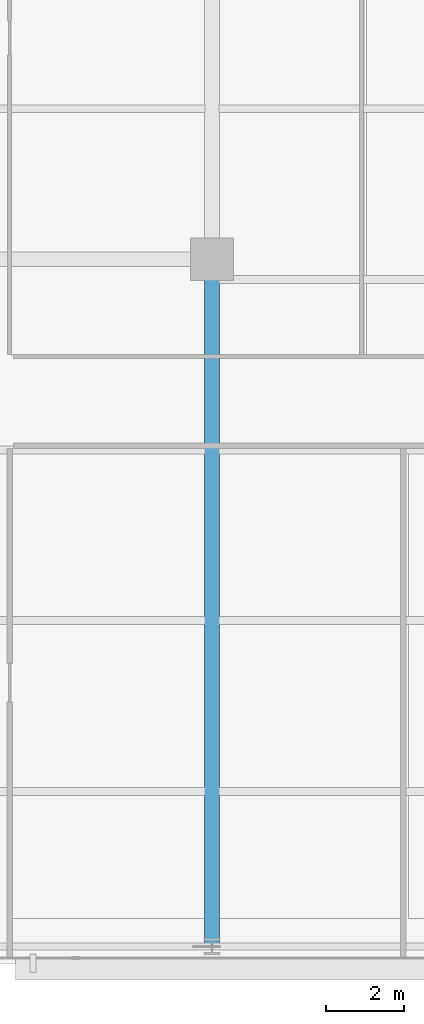
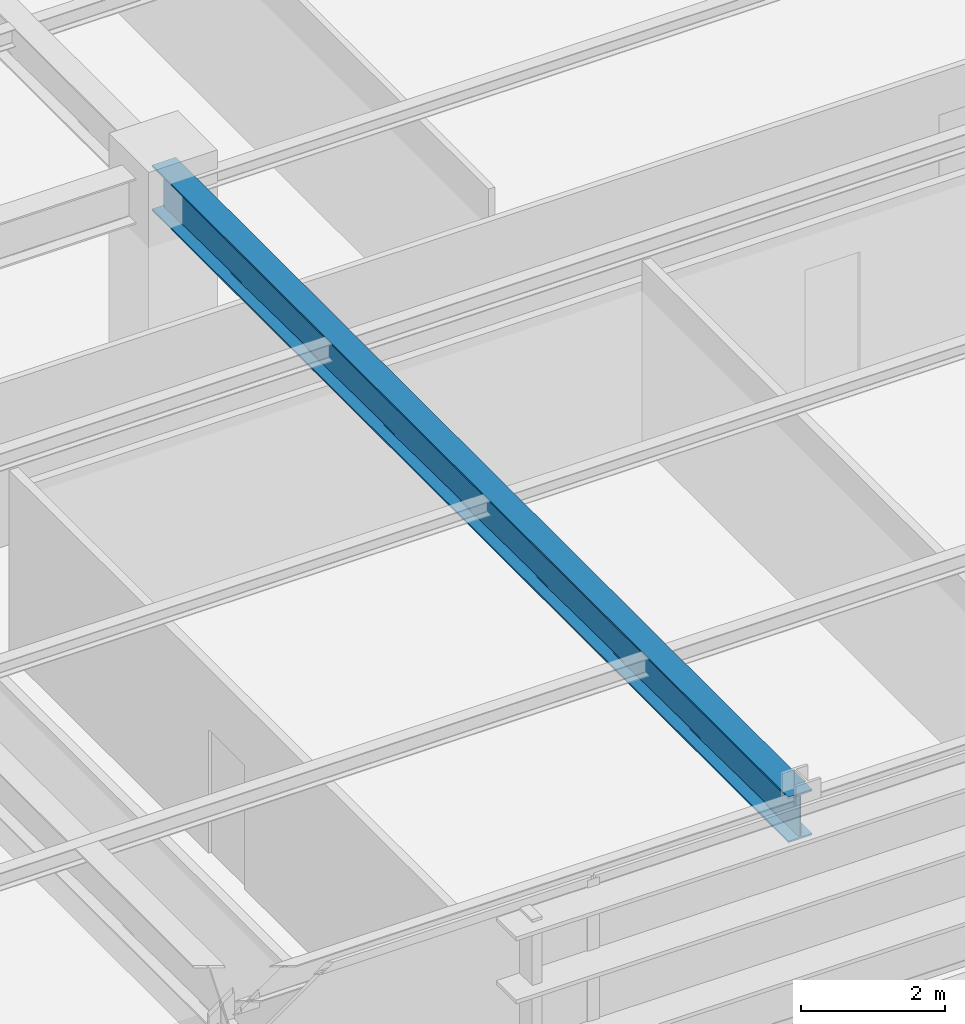
# One storey, part 13 of 32: 1 beam.
"""IFC4 building model written with IfcOpenShell, lengths in metres."""

from ifc_helpers import new_model, si_unit, direction, frame, origin, origin_2d, place, context, subcontext, project, spatial, i_section, extrude, source, transform, mapped, material, material_profile, profile_set, type_object, type_shapes, element, save


model = new_model("IFC4")

# Units and contexts
model_context = context("Model", 3, precision=1e-05, world=origin(), true_north=direction((0.0, 1.0)))
body_context = subcontext(model_context, "Body", "Model", "MODEL_VIEW")
ifc_project = project(units=[si_unit("LENGTHUNIT", "METRE"), si_unit("AREAUNIT", "SQUARE_METRE"), si_unit("VOLUMEUNIT", "CUBIC_METRE"), si_unit("PLANEANGLEUNIT", "RADIAN"), si_unit("MASSUNIT", "GRAM", prefix="KILO")], contexts=[model_context])

# Site, building, storey
site_placement = place(None, origin())
site = spatial("IfcSite", under=ifc_project, at=site_placement, CompositionType="ELEMENT")
building_placement = place(site_placement, origin())
building = spatial("IfcBuilding", under=site, at=building_placement, Name="Varnel Quay Broadcast Tower", CompositionType="ELEMENT")
storey_placement = place(building_placement, frame((0.0, 0.0, 78.300048828125)))
storey = spatial("IfcBuildingStorey", under=building, at=storey_placement, Name="L18", CompositionType="ELEMENT", Elevation=78.300048828125)

# Beam
ifc_material = material(Name="Structural Steel CSA G40.21 350W", Category="steel")
ifc_material_profile = material_profile(ifc_material, i_section(OverallWidth=0.381103515625, OverallDepth=0.77294921875, WebThickness=0.0166015625, FlangeThickness=0.027587890625, FilletRadius=0.01806640625, at=origin_2d()), Name="W760X257")
ifc_profile_set = profile_set([ifc_material_profile], Name="Structural Steel CSA G40.21 350W")
beam_type = type_object("IfcBeamType", Name="Girder_W760X257", PredefinedType="BEAM", material=ifc_profile_set)
shared_shape = source(origin(), body_context, "Body", "SweptSolid", [
    extrude(i_section(OverallWidth=0.381103515625, OverallDepth=0.77294921875, WebThickness=0.0166015625, FlangeThickness=0.027587890625, FilletRadius=0.01806640625, at=origin_2d()), origin(), (0.0, 0.0, 1.0), 17.68017578125),
])
type_shapes(beam_type, [shared_shape])
beam_placement = place(storey_placement, frame((43.199951171875, 1.669921875, 3.193359375), z_axis=(0.0, 1.0, 0.0), x_axis=(-1.0, 0.0, 0.0)))
element("IfcBeam", 1, at=beam_placement, inside=storey, type_object=beam_type, Name="L18 Primary Girder TC-S4-IC-02", PredefinedType="BEAM", context=body_context, shape_type="MappedRepresentation", body=[
    mapped(shared_shape, transform((0.0, 0.0, 0.0), x_axis=(1.0, 0.0, 0.0), y_axis=(0.0, 1.0, 0.0), z_axis=(0.0, 0.0, 1.0), scale=1.0)),
])

save(model, "model.ifc")
